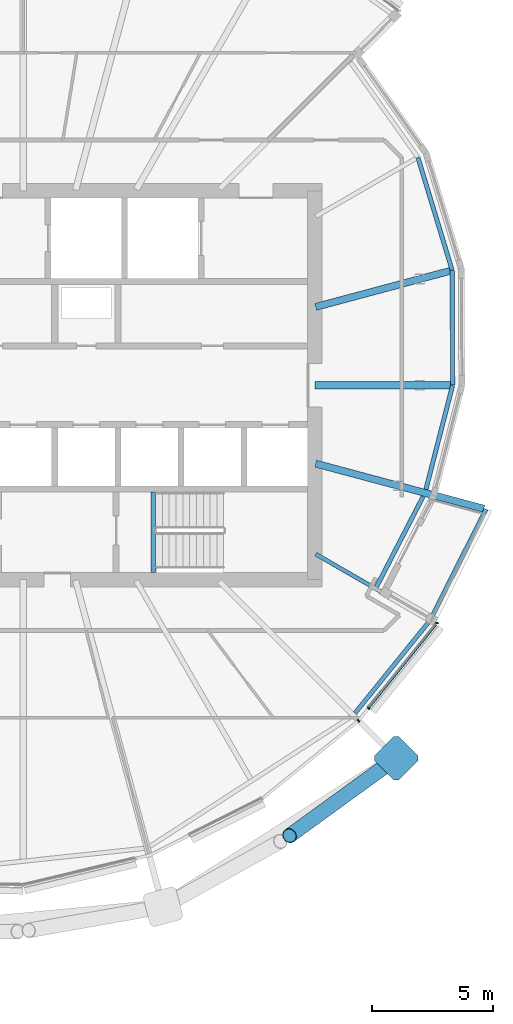
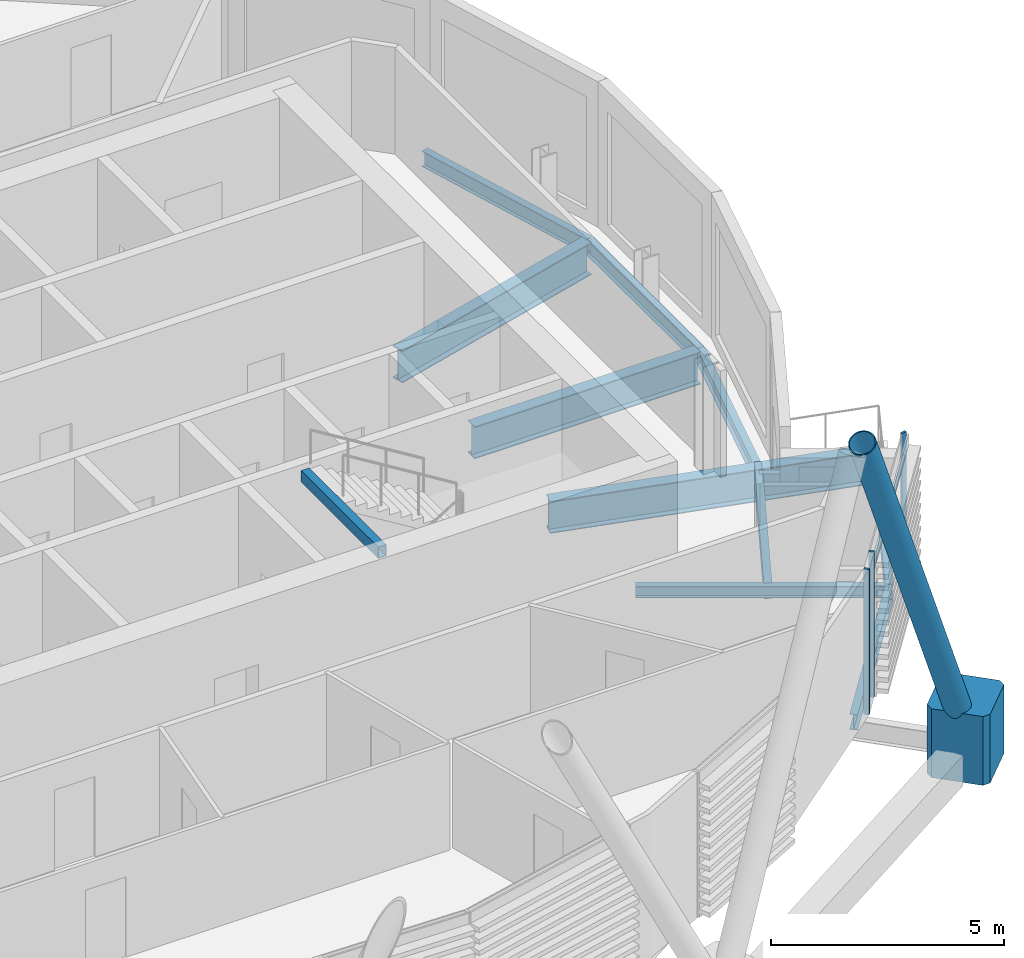
# One storey, part 17 of 35: 11 beams, 6 members, 1 element without a shape of its own.
"""IFC4 building model written with IfcOpenShell, lengths in metres."""

from ifc_helpers import new_model, si_unit, direction, frame, origin, origin_2d, place, context, subcontext, project, spatial, polyline, rectangle, hollow_rectangle, hollow_circle, i_section, outline, extrude, material, material_profile, profile_set, type_object, element, aggregate, save


model = new_model("IFC4")

# Units and contexts
model_context = context("Model", 3, precision=1e-05, world=origin(), true_north=direction((0.0, 1.0)))
body_context = subcontext(model_context, "Body", "Model", "MODEL_VIEW")
ifc_project = project(units=[si_unit("LENGTHUNIT", "METRE"), si_unit("AREAUNIT", "SQUARE_METRE"), si_unit("VOLUMEUNIT", "CUBIC_METRE"), si_unit("PLANEANGLEUNIT", "RADIAN"), si_unit("MASSUNIT", "GRAM", prefix="KILO")], contexts=[model_context])

# Site, building, storey
site_placement = place(None, origin())
site = spatial("IfcSite", under=ifc_project, at=site_placement, CompositionType="ELEMENT")
building_placement = place(site_placement, origin())
building = spatial("IfcBuilding", under=site, at=building_placement, Name="Rimbun Link Towers", CompositionType="ELEMENT")
storey_placement = place(building_placement, frame((0.0, 0.0, 181.699951171875)))
storey = spatial("IfcBuildingStorey", under=building, at=storey_placement, Name="L44", CompositionType="ELEMENT", Elevation=181.699951171875)

# Curtain wall, members
ifc_material_1 = material(Name="Aluminium 6063-T6 and low-iron glass", Category="aluminium")
curtain_wall_type = type_object("IfcCurtainWallType", Name="CW1-Z3 unitised vision wall (zone 3)", PredefinedType="NOTDEFINED", material=ifc_material_1)
curtain_wall_placement = place(storey_placement, origin())
curtain_wall = element("IfcCurtainWall", 1, at=curtain_wall_placement, inside=storey, type_object=curtain_wall_type, Name="CW1 L44 T2", PredefinedType="NOTDEFINED")
ifc_material_2 = material(Name="Aluminium 6063-T6", Category="aluminium")
ifc_material_profile_1 = material_profile(ifc_material_2, rectangle(XDim=0.1201171875, YDim=0.06005859375, at=origin_2d()), Name="MULLION 60X120")
ifc_profile_set_1 = profile_set([ifc_material_profile_1], Name="Aluminium 6063-T6")
member_type_1 = type_object("IfcMemberType", Name="CW1 mullion 60X120", PredefinedType="MULLION", material=ifc_profile_set_1)
member_1_placement = place(storey_placement, frame((45.5517578125, -13.810546875, 0.0), z_axis=(0.0, 0.0, 1.0), x_axis=(0.629146339344, -0.777286873483, 0.0)))
member_1 = element("IfcMember", 2, at=member_1_placement, type_object=member_type_1, Name="CW1 mullion", PredefinedType="MULLION", context=body_context, shape_type="SweptSolid", body=[
    extrude(rectangle(XDim=0.1201171875, YDim=0.06005859375, at=origin_2d()), origin(), (0.0, 0.0, 1.0), 3.800048828125),
])
member_2_placement = place(storey_placement, frame((48.781982421875, -9.78857421875, 0.0), z_axis=(0.0, 0.0, 1.0), x_axis=(0.983235654345, 0.182339375958, 0.0)))
member_2 = element("IfcMember", 3, at=member_2_placement, type_object=member_type_1, Name="CW1 mullion", PredefinedType="MULLION", context=body_context, shape_type="SweptSolid", body=[
    extrude(rectangle(XDim=0.1201171875, YDim=0.06005859375, at=origin_2d()), origin(), (0.0, 0.0, 1.0), 3.800048828125),
])
member_3_placement = place(storey_placement, frame((45.969482421875, -13.296630859375, 0.0), z_axis=(0.0, 0.0, 1.0), x_axis=(0.777286873483, -0.629146339344, 0.0)))
member_3 = element("IfcMember", 4, at=member_3_placement, type_object=member_type_1, Name="CW1 mullion", PredefinedType="MULLION", context=body_context, shape_type="SweptSolid", body=[
    extrude(rectangle(XDim=0.1201171875, YDim=0.06005859375, at=origin_2d()), origin(), (0.0, 0.0, 1.0), 3.800048828125),
])
ifc_material_3 = material(Name="Aluminium 6063-T6", Category="aluminium")
ifc_material_profile_2 = material_profile(ifc_material_3, rectangle(XDim=0.06005859375, YDim=0.1201171875, at=origin_2d()), Name="TRANSOM 60X120")
ifc_profile_set_2 = profile_set([ifc_material_profile_2], Name="Aluminium 6063-T6")
member_type_2 = type_object("IfcMemberType", Name="CW1 transom 60X120", PredefinedType="USERDEFINED", material=ifc_profile_set_2)
member_4_placement = place(storey_placement, frame((48.749267578125, -9.859130859375, 3.199951171875), z_axis=(-0.629153440158, -0.777281125936, 0.0), x_axis=(0.777281125936, -0.629153440158, 0.0)))
member_4 = element("IfcMember", 5, at=member_4_placement, type_object=member_type_2, Name="CW1 transom", ObjectType="TRANSOM", PredefinedType="USERDEFINED", context=body_context, shape_type="SweptSolid", body=[
    extrude(rectangle(XDim=0.06005859375, YDim=0.1201171875, at=origin_2d()), origin(), (0.0, 0.0, 1.0), 4.390625),
])
aggregate(curtain_wall, [member_1, member_2, member_3, member_4])

# Members
ifc_material_4 = material(Name="Steel S355J2H", Category="steel")
ifc_material_profile_3 = material_profile(ifc_material_4, hollow_circle(Radius=0.3046875, WallThickness=0.02490234375, at=origin_2d()), Name="Diagrid diagonal CHS 610x25")
ifc_profile_set_3 = profile_set([ifc_material_profile_3], Name="Steel S355J2H")
member_type_3 = type_object("IfcMemberType", Name="Diagrid diagonal CHS 610x25", PredefinedType="BRACE", material=ifc_profile_set_3)
member_5_placement = place(storey_placement, frame((46.92529296875, -15.4853515625, 0.447998046875), z_axis=(-0.359426663615, -0.260886282837, 0.895963627002), x_axis=(0.587413120426, -0.809287233281, 0.0)))
element("IfcMember", 6, at=member_5_placement, inside=storey, type_object=member_type_3, Name="Diagrid diagonal T2 L44-L47 18a", PredefinedType="BRACE", context=body_context, shape_type="SweptSolid", body=[
    extrude(hollow_circle(Radius=0.3046875, WallThickness=0.02490234375, at=origin_2d()), origin(), (0.0, 0.0, 1.0), 11.723876953125),
])
ifc_material_5 = material(Name="Cast steel G20Mn5+QT, Rp0.2 300 MPa", Category="steel")
ifc_material_profile_4 = material_profile(ifc_material_5, outline(polyline([(0.699951171875, -0.570068359375), (0.699951171875, 0.570068359375), (0.570068359375, 0.699951171875), (-0.570068359375, 0.699951171875), (-0.699951171875, 0.570068359375), (-0.699951171875, -0.570068359375), (-0.570068359375, -0.699951171875), (0.570068359375, -0.699951171875), (0.699951171875, -0.570068359375)])), Name="NODE 1400x1400")
ifc_profile_set_4 = profile_set([ifc_material_profile_4], Name="Cast steel G20Mn5+QT, Rp0.2 300 MPa")
member_type_4 = type_object("IfcMemberType", Name="Diagrid node cast 1400", PredefinedType="USERDEFINED", material=ifc_profile_set_4)
member_6_placement = place(storey_placement, frame((47.10498046875, -15.35498046875, -0.89990234375), z_axis=(0.0, 0.0, 1.0), x_axis=(0.707106781187, -0.707106781187, 0.0)))
element("IfcMember", 7, at=member_6_placement, inside=storey, type_object=member_type_4, Name="Diagrid node L44 18", ObjectType="Diagrid node", PredefinedType="USERDEFINED", context=body_context, shape_type="SweptSolid", body=[
    extrude(outline(polyline([(0.699951171875, -0.570068359375), (0.699951171875, 0.570068359375), (0.570068359375, 0.699951171875), (-0.570068359375, 0.699951171875), (-0.699951171875, 0.570068359375), (-0.699951171875, -0.570068359375), (-0.570068359375, -0.699951171875), (0.570068359375, -0.699951171875), (0.699951171875, -0.570068359375)])), origin(), (0.0, 0.0, 1.0), 1.800048828125),
])

# Beams
ifc_material_6 = material(Name="Steel S355J2", Category="steel")
ifc_material_profile_5 = material_profile(ifc_material_6, hollow_rectangle(XDim=0.199951171875, YDim=0.300048828125, WallThickness=0.011962890625, at=origin_2d()), Name="BOX 300x200x12")
ifc_profile_set_5 = profile_set([ifc_material_profile_5], Name="Steel S355J2")
beam_type_1 = type_object("IfcBeamType", Name="Stair trimmer beam BOX 300x200x12", PredefinedType="BEAM", material=ifc_profile_set_5)
beam_1_placement = place(storey_placement, frame((37.10009765625, -7.699951171875, 3.5), z_axis=(0.0, 1.0, 0.0), x_axis=(-1.0, 0.0, 0.0)))
element("IfcBeam", 8, at=beam_1_placement, inside=storey, type_object=beam_type_1, Name="L44 ST4 stair beam 1", PredefinedType="BEAM", context=body_context, shape_type="SweptSolid", body=[
    extrude(hollow_rectangle(XDim=0.199951171875, YDim=0.300048828125, WallThickness=0.011962890625, at=origin_2d()), origin(), (0.0, 0.0, 1.0), 3.300048828125),
])
ifc_material_7 = material(Name="Steel S355J2", Category="steel")
ifc_material_profile_6 = material_profile(ifc_material_7, i_section(OverallWidth=0.1650390625, OverallDepth=0.303466796875, WebThickness=0.006103515625, FlangeThickness=0.01025390625, at=origin_2d()), Name="UB 305x165x40")
ifc_profile_set_6 = profile_set([ifc_material_profile_6], Name="Steel S355J2")
beam_type_2 = type_object("IfcBeamType", Name="UB 305x165x40", PredefinedType="BEAM", material=ifc_profile_set_6)
beam_2_placement = place(storey_placement, frame((43.7919921875, -6.952392578125, -0.3017578125), z_axis=(0.866027539765, -0.499996300355, 0.0), x_axis=(0.499996300355, 0.866027539765, 0.0)))
element("IfcBeam", 9, at=beam_2_placement, inside=storey, type_object=beam_type_2, Name="Radial beam T2 L44 19", PredefinedType="BEAM", context=body_context, shape_type="SweptSolid", body=[
    extrude(i_section(OverallWidth=0.1650390625, OverallDepth=0.303466796875, WebThickness=0.006103515625, FlangeThickness=0.01025390625, at=origin_2d()), origin(), (0.0, 0.0, 1.0), 5.3505859375),
])
ifc_material_8 = material(Name="Steel S355J2", Category="steel")
ifc_material_profile_7 = material_profile(ifc_material_8, i_section(OverallWidth=0.177978515625, OverallDepth=0.406494140625, WebThickness=0.0078125, FlangeThickness=0.0126953125, at=origin_2d()), Name="UB 406x178x60")
ifc_profile_set_7 = profile_set([ifc_material_profile_7], Name="Steel S355J2")
beam_type_3 = type_object("IfcBeamType", Name="UB 406x178x60", PredefinedType="BEAM", material=ifc_profile_set_7)
beam_3_placement = place(storey_placement, frame((45.408935546875, -13.496337890625, -0.353271484375), z_axis=(0.629161028107, 0.777274983973, 0.0), x_axis=(-0.777274983973, 0.629161028107, 0.0)))
element("IfcBeam", 10, at=beam_3_placement, inside=storey, type_object=beam_type_3, Name="Edge beam T2 L44 18", PredefinedType="BEAM", context=body_context, shape_type="SweptSolid", body=[
    extrude(i_section(OverallWidth=0.177978515625, OverallDepth=0.406494140625, WebThickness=0.0078125, FlangeThickness=0.0126953125, at=origin_2d()), origin(), (0.0, 0.0, 1.0), 4.90869140625),
])
beam_4_placement = place(storey_placement, frame((46.269287109375, -8.339599609375, -0.353271484375), z_axis=(0.459089922009, 0.888389803808, 0.0), x_axis=(-0.888389803808, 0.459089922009, 0.0)))
element("IfcBeam", 11, at=beam_4_placement, inside=storey, type_object=beam_type_3, Name="Edge beam T2 L44 19 recess", PredefinedType="BEAM", context=body_context, shape_type="SweptSolid", body=[
    extrude(i_section(OverallWidth=0.177978515625, OverallDepth=0.406494140625, WebThickness=0.0078125, FlangeThickness=0.0126953125, at=origin_2d()), origin(), (0.0, 0.0, 1.0), 4.228759765625),
])
beam_5_placement = place(storey_placement, frame((48.508544921875, -9.663330078125, -0.353271484375), z_axis=(0.449279815397, 0.893391094357, 0.0), x_axis=(-0.893391094357, 0.449279815397, 0.0)))
element("IfcBeam", 12, at=beam_5_placement, inside=storey, type_object=beam_type_3, Name="Edge beam T2 L44 19 terrace", PredefinedType="BEAM", context=body_context, shape_type="SweptSolid", body=[
    extrude(i_section(OverallWidth=0.177978515625, OverallDepth=0.406494140625, WebThickness=0.0078125, FlangeThickness=0.0126953125, at=origin_2d()), origin(), (0.0, 0.0, 1.0), 5.1015625),
])
beam_6_placement = place(storey_placement, frame((48.32568359375, -4.2880859375, -0.353271484375), z_axis=(0.248581574965, 0.96861096452, 0.0), x_axis=(-0.96861096452, 0.248581574965, 0.0)))
element("IfcBeam", 13, at=beam_6_placement, inside=storey, type_object=beam_type_3, Name="Edge beam T2 L44 20 recess", PredefinedType="BEAM", context=body_context, shape_type="SweptSolid", body=[
    extrude(i_section(OverallWidth=0.177978515625, OverallDepth=0.406494140625, WebThickness=0.0078125, FlangeThickness=0.0126953125, at=origin_2d()), origin(), (0.0, 0.0, 1.0), 4.414794921875),
])
beam_7_placement = place(storey_placement, frame((49.426025390625, 0.012451171875, -0.353271484375), z_axis=(-0.003891828759, 0.999992426806, 0.0), x_axis=(-0.999992426806, -0.003891828759, 0.0)))
element("IfcBeam", 14, at=beam_7_placement, inside=storey, type_object=beam_type_3, Name="Edge beam T2 L44 21 recess", PredefinedType="BEAM", context=body_context, shape_type="SweptSolid", body=[
    extrude(i_section(OverallWidth=0.177978515625, OverallDepth=0.406494140625, WebThickness=0.0078125, FlangeThickness=0.0126953125, at=origin_2d()), origin(), (0.0, 0.0, 1.0), 4.704833984375),
])
beam_8_placement = place(storey_placement, frame((49.40380859375, 4.744873046875, -0.353271484375), z_axis=(-0.290310480338, 0.956932508073, 0.0), x_axis=(-0.956932508073, -0.290310480338, 0.0)))
element("IfcBeam", 15, at=beam_8_placement, inside=storey, type_object=beam_type_3, Name="Edge beam T2 L44 22 recess", PredefinedType="BEAM", context=body_context, shape_type="SweptSolid", body=[
    extrude(i_section(OverallWidth=0.177978515625, OverallDepth=0.406494140625, WebThickness=0.0078125, FlangeThickness=0.0126953125, at=origin_2d()), origin(), (0.0, 0.0, 1.0), 4.828857421875),
])
ifc_material_9 = material(Name="Steel S355J2", Category="steel")
ifc_material_profile_8 = material_profile(ifc_material_9, i_section(OverallWidth=0.29248046875, OverallDepth=0.8408203125, WebThickness=0.0126953125, FlangeThickness=0.021728515625, at=origin_2d()), Name="UB 838x292x194")
ifc_profile_set_8 = profile_set([ifc_material_profile_8], Name="Steel S355J2")
beam_type_4 = type_object("IfcBeamType", Name="UB 838x292x194", PredefinedType="BEAM", material=ifc_profile_set_8)
beam_9_placement = place(storey_placement, frame((43.788818359375, -3.225830078125, -0.5703125), z_axis=(0.965930111147, -0.258803053265, 0.0), x_axis=(0.258803053265, 0.965930111147, 0.0)))
element("IfcBeam", 16, at=beam_9_placement, inside=storey, type_object=beam_type_4, Name="Radial beam T2 L44 20", PredefinedType="BEAM", context=body_context, shape_type="SweptSolid", body=[
    extrude(i_section(OverallWidth=0.29248046875, OverallDepth=0.8408203125, WebThickness=0.0126953125, FlangeThickness=0.021728515625, at=origin_2d()), origin(), (0.0, 0.0, 1.0), 7.16748046875),
])
beam_10_placement = place(storey_placement, frame((43.7509765625, 0.0, -0.5703125), z_axis=(1.0, 0.0, 0.0), x_axis=(0.0, 1.0, 0.0)))
element("IfcBeam", 17, at=beam_10_placement, inside=storey, type_object=beam_type_4, Name="Radial beam T2 L44 21", PredefinedType="BEAM", context=body_context, shape_type="SweptSolid", body=[
    extrude(i_section(OverallWidth=0.29248046875, OverallDepth=0.8408203125, WebThickness=0.0126953125, FlangeThickness=0.021728515625, at=origin_2d()), origin(), (0.0, 0.0, 1.0), 5.58447265625),
])
beam_11_placement = place(storey_placement, frame((43.788818359375, 3.225830078125, -0.5703125), z_axis=(0.965925025357, 0.258822034203, 0.0), x_axis=(-0.258822034203, 0.965925025357, 0.0)))
element("IfcBeam", 18, at=beam_11_placement, inside=storey, type_object=beam_type_4, Name="Radial beam T2 L44 22", PredefinedType="BEAM", context=body_context, shape_type="SweptSolid", body=[
    extrude(i_section(OverallWidth=0.29248046875, OverallDepth=0.8408203125, WebThickness=0.0126953125, FlangeThickness=0.021728515625, at=origin_2d()), origin(), (0.0, 0.0, 1.0), 5.7265625),
])

save(model, "model.ifc")
